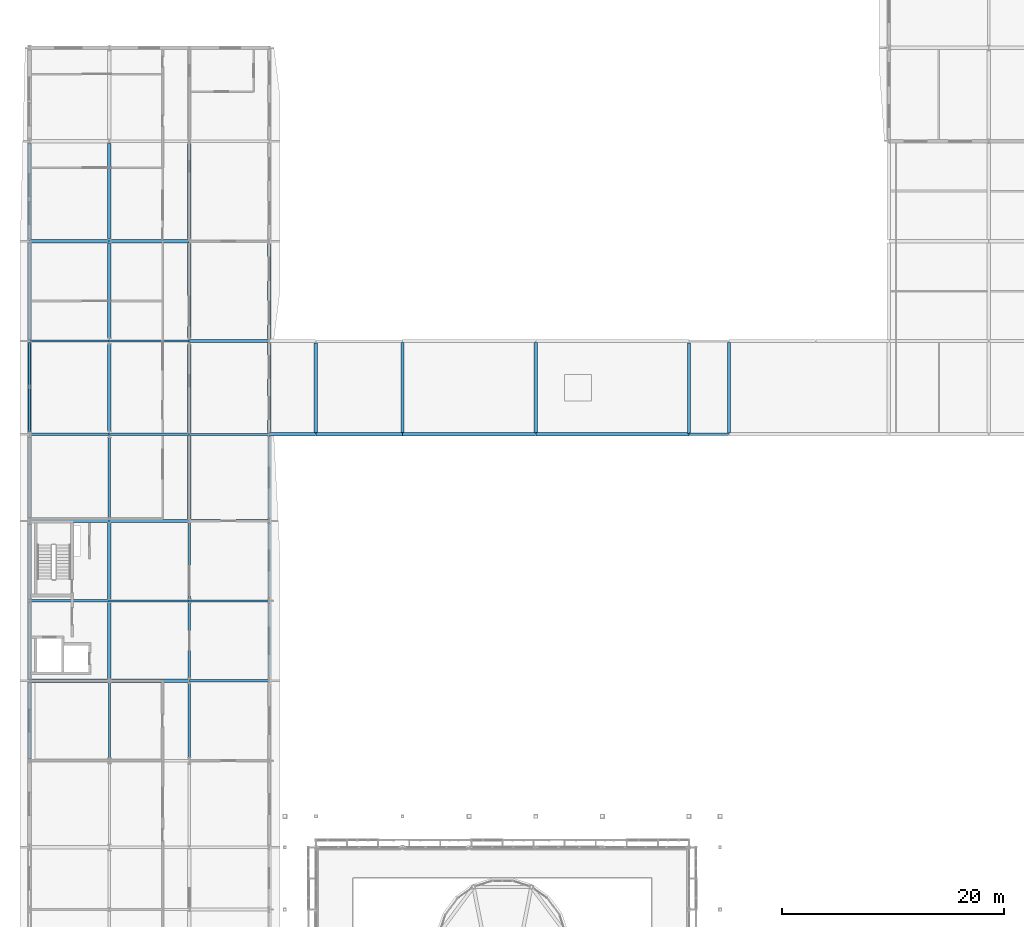
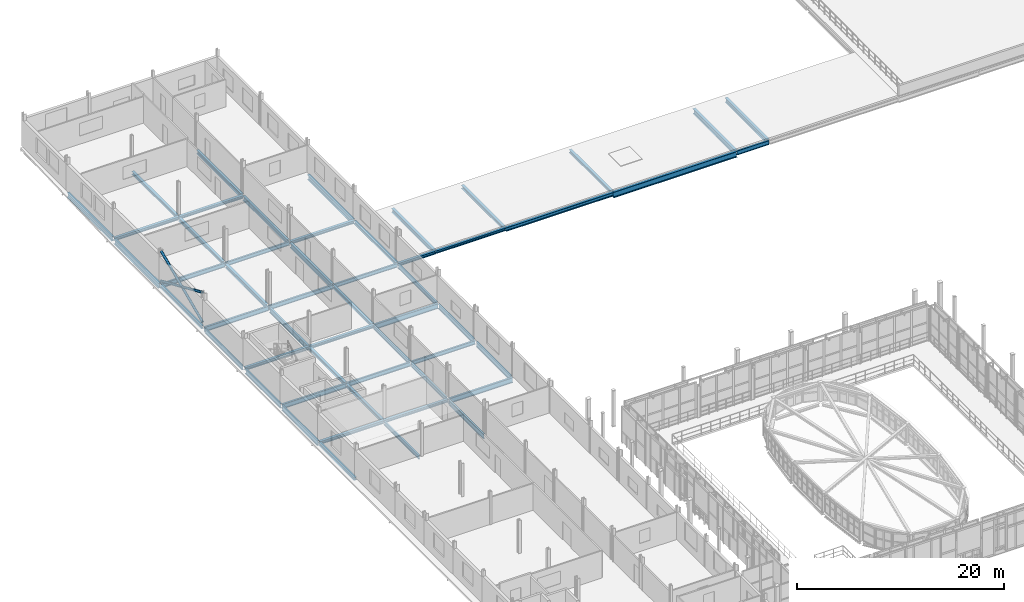
# One storey, part 41 of 78: 53 beams, 3 members.
"""IFC4 building model written with IfcOpenShell, lengths in metres."""

from ifc_helpers import new_model, si_unit, direction, frame, origin, origin_2d, place, context, subcontext, project, spatial, hollow_circle, i_section, extrude, material, material_profile, profile_set, type_object, element, save


model = new_model("IFC4")

# Units and contexts
model_context = context("Model", 3, precision=1e-05, world=origin(), true_north=direction((0.0, 1.0)))
body_context = subcontext(model_context, "Body", "Model", "MODEL_VIEW")
ifc_project = project(units=[si_unit("LENGTHUNIT", "METRE"), si_unit("AREAUNIT", "SQUARE_METRE"), si_unit("VOLUMEUNIT", "CUBIC_METRE"), si_unit("PLANEANGLEUNIT", "RADIAN"), si_unit("MASSUNIT", "GRAM", prefix="KILO")], contexts=[model_context])

# Site, building, storey
site_placement = place(None, origin())
site = spatial("IfcSite", under=ifc_project, at=site_placement, CompositionType="ELEMENT")
building_placement = place(site_placement, origin())
building = spatial("IfcBuilding", under=site, at=building_placement, Name="Vinh Khe Railworks Police Headquarters", CompositionType="ELEMENT")
storey_placement = place(building_placement, frame((0.0, 0.0, 13.199951171875)))
storey = spatial("IfcBuildingStorey", under=building, at=storey_placement, Name="L03", CompositionType="ELEMENT", Elevation=13.199951171875)

# Members
ifc_material = material(Name="Steel S355JR", Category="steel")
ifc_material_profile_1 = material_profile(ifc_material, hollow_circle(Radius=0.136474609375, WallThickness=0.012451171875, at=origin_2d()), Name="CHS 273x12.5")
ifc_profile_set_1 = profile_set([ifc_material_profile_1], Name="Steel S355JR")
member_type = type_object("IfcMemberType", Name="Concentric Brace CHS 273x12.5", PredefinedType="BRACE", material=ifc_profile_set_1)
member_placement = place(storey_placement, frame((0.60009765625, 96.2548828125, 0.199951171875), z_axis=(0.0, 0.91606743066, 0.401024266702), x_axis=(-1.0, 0.0, 0.0)))
element("IfcMember", 1, at=member_placement, inside=storey, type_object=member_type, Name="Continuous Concentric Brace MEM-BR-L03-BR-08-034", PredefinedType="BRACE", context=body_context, shape_type="SweptSolid", body=[
    extrude(hollow_circle(Radius=0.136474609375, WallThickness=0.012451171875, at=origin_2d()), origin(), (0.0, 0.0, 1.0), 8.7275390625),
])
for number, where, z_axis, x_axis, name in (
    (2, (0.60009765625, 96.2548828125, 3.699951171875), (0.0, 0.916060421789, -0.40104027682), (-1.0, 0.0, 0.0), "Split X-Brace Segment MEM-BR-L03-BR-08-035 (2A)"),
    (3, (0.60009765625, 100.382568359375, 1.89306640625), (0.0, 0.916060421789, -0.40104027682), (-1.0, 0.0, 0.0), "Split X-Brace Segment MEM-BR-L03-BR-08-036 (2B)"),
):
    element("IfcMember", number, at=place(storey_placement, frame(where, z_axis=z_axis, x_axis=x_axis)), inside=storey, type_object=member_type, Name=name, PredefinedType="BRACE", context=body_context, shape_type="SweptSolid", body=[
        extrude(hollow_circle(Radius=0.136474609375, WallThickness=0.012451171875, at=origin_2d()), origin(), (0.0, 0.0, 1.0), 4.221923828125),
    ])

# Beams
ifc_material_profile_2 = material_profile(ifc_material, i_section(OverallWidth=0.300048828125, OverallDepth=0.330078125, WebThickness=0.009521484375, FlangeThickness=0.0166015625, FilletRadius=0.027099609375, at=origin_2d()), Name="HEA 340")
ifc_profile_set_2 = profile_set([ifc_material_profile_2], Name="Steel S355JR")
beam_type_1 = type_object("IfcBeamType", Name="Steel Girder HEA 340", PredefinedType="BEAM", material=ifc_profile_set_2)
for number, where, z_axis, x_axis, name in (
    (4, (7.820068359375, 73.800048828125, -0.385009765625), (1.0, 0.0, 0.0), (0.0, 1.0, 0.0), "Girder BM-L03-EW-SB-16-1070"),
    (5, (7.820068359375, 88.199951171875, -0.385009765625), (1.0, 0.0, 0.0), (0.0, 1.0, 0.0), "Girder BM-L03-EW-SB-16-1076"),
):
    element("IfcBeam", number, at=place(storey_placement, frame(where, z_axis=z_axis, x_axis=x_axis)), inside=storey, type_object=beam_type_1, Name=name, PredefinedType="BEAM", context=body_context, shape_type="SweptSolid", body=[
        extrude(i_section(OverallWidth=0.300048828125, OverallDepth=0.330078125, WebThickness=0.009521484375, FlangeThickness=0.0166015625, FilletRadius=0.027099609375, at=origin_2d()), origin(), (0.0, 0.0, 1.0), 7.159912109375),
    ])
beam_1_placement = place(storey_placement, frame((26.419921875, 96.0, -0.385009765625), z_axis=(1.0, 0.0, 0.0), x_axis=(0.0, 1.0, 0.0)))
element("IfcBeam", 6, at=beam_1_placement, inside=storey, type_object=beam_type_1, Name="Girder BM-L03-EW-SB-16-1082", PredefinedType="BEAM", context=body_context, shape_type="SweptSolid", body=[
    extrude(i_section(OverallWidth=0.300048828125, OverallDepth=0.330078125, WebThickness=0.009521484375, FlangeThickness=0.0166015625, FilletRadius=0.027099609375, at=origin_2d()), origin(), (0.0, 0.0, 1.0), 7.760009765625),
])
beam_2_placement = place(storey_placement, frame((7.820068359375, 113.39990234375, -0.385009765625), z_axis=(1.0, 0.0, 0.0), x_axis=(0.0, 1.0, 0.0)))
element("IfcBeam", 7, at=beam_2_placement, inside=storey, type_object=beam_type_1, Name="Girder BM-L03-EW-SB-16-1106", PredefinedType="BEAM", context=body_context, shape_type="SweptSolid", body=[
    extrude(i_section(OverallWidth=0.300048828125, OverallDepth=0.330078125, WebThickness=0.009521484375, FlangeThickness=0.0166015625, FilletRadius=0.027099609375, at=origin_2d()), origin(), (0.0, 0.0, 1.0), 7.159912109375),
])
beam_3_placement = place(storey_placement, frame((0.60009765625, 66.75, -0.385009765625), z_axis=(0.0, 1.0, 0.0), x_axis=(-1.0, 0.0, 0.0)))
element("IfcBeam", 8, at=beam_3_placement, inside=storey, type_object=beam_type_1, Name="Girder BM-L03-NS-SB-16-1154", PredefinedType="BEAM", context=body_context, shape_type="SweptSolid", body=[
    extrude(i_section(OverallWidth=0.300048828125, OverallDepth=0.330078125, WebThickness=0.009521484375, FlangeThickness=0.0166015625, FilletRadius=0.027099609375, at=origin_2d()), origin(), (0.0, 0.0, 1.0), 6.9150390625),
])
beam_4_placement = place(storey_placement, frame((7.800048828125, 81.135009765625, -0.385009765625), z_axis=(0.0, 1.0, 0.0), x_axis=(-1.0, 0.0, 0.0)))
element("IfcBeam", 9, at=beam_4_placement, inside=storey, type_object=beam_type_1, Name="Girder BM-L03-NS-SB-16-1172", PredefinedType="BEAM", context=body_context, shape_type="SweptSolid", body=[
    extrude(i_section(OverallWidth=0.300048828125, OverallDepth=0.330078125, WebThickness=0.009521484375, FlangeThickness=0.0166015625, FilletRadius=0.027099609375, at=origin_2d()), origin(), (0.0, 0.0, 1.0), 6.93994140625),
])
ifc_material_profile_3 = material_profile(ifc_material, i_section(OverallWidth=0.300048828125, OverallDepth=0.35009765625, WebThickness=0.010009765625, FlangeThickness=0.017578125, FilletRadius=0.027099609375, at=origin_2d()), Name="HEA 360")
ifc_profile_set_3 = profile_set([ifc_material_profile_3], Name="Steel S355JR")
beam_type_2 = type_object("IfcBeamType", Name="Steel Girder HEA 360", PredefinedType="BEAM", material=ifc_profile_set_3)
for number, where, z_axis, x_axis, name in (
    (10, (0.6201171875, 73.800048828125, -0.39501953125), (1.0, 0.0, 0.0), (0.0, 1.0, 0.0), "Girder BM-L03-EW-SB-15-1069"),
    (11, (0.6201171875, 88.199951171875, -0.39501953125), (1.0, 0.0, 0.0), (0.0, 1.0, 0.0), "Girder BM-L03-EW-SB-15-1075"),
):
    element("IfcBeam", number, at=place(storey_placement, frame(where, z_axis=z_axis, x_axis=x_axis)), inside=storey, type_object=beam_type_2, Name=name, PredefinedType="BEAM", context=body_context, shape_type="SweptSolid", body=[
        extrude(i_section(OverallWidth=0.300048828125, OverallDepth=0.35009765625, WebThickness=0.010009765625, FlangeThickness=0.017578125, FilletRadius=0.027099609375, at=origin_2d()), origin(), (0.0, 0.0, 1.0), 7.159912109375),
    ])
beam_5_placement = place(storey_placement, frame((22.219970703125, 96.0, -0.39501953125), z_axis=(1.0, 0.0, 0.0), x_axis=(0.0, 1.0, 0.0)))
element("IfcBeam", 12, at=beam_5_placement, inside=storey, type_object=beam_type_2, Name="Girder BM-L03-EW-SB-15-1081", PredefinedType="BEAM", context=body_context, shape_type="SweptSolid", body=[
    extrude(i_section(OverallWidth=0.300048828125, OverallDepth=0.35009765625, WebThickness=0.010009765625, FlangeThickness=0.017578125, FilletRadius=0.027099609375, at=origin_2d()), origin(), (0.0, 0.0, 1.0), 4.159912109375),
])
for number, where, z_axis, x_axis, name in (
    (13, (15.02001953125, 104.39990234375, -0.39501953125), (1.0, 0.0, 0.0), (0.0, 1.0, 0.0), "Girder BM-L03-EW-SB-15-1093"),
    (14, (0.6201171875, 113.39990234375, -0.39501953125), (1.0, 0.0, 0.0), (0.0, 1.0, 0.0), "Girder BM-L03-EW-SB-15-1105"),
):
    element("IfcBeam", number, at=place(storey_placement, frame(where, z_axis=z_axis, x_axis=x_axis)), inside=storey, type_object=beam_type_2, Name=name, PredefinedType="BEAM", context=body_context, shape_type="SweptSolid", body=[
        extrude(i_section(OverallWidth=0.300048828125, OverallDepth=0.35009765625, WebThickness=0.010009765625, FlangeThickness=0.017578125, FilletRadius=0.027099609375, at=origin_2d()), origin(), (0.0, 0.0, 1.0), 7.159912109375),
    ])
beam_6_placement = place(storey_placement, frame((0.60009765625, 96.2548828125, -0.39501953125), z_axis=(0.0, 1.0, 0.0), x_axis=(-1.0, 0.0, 0.0)))
element("IfcBeam", 15, at=beam_6_placement, inside=storey, type_object=beam_type_2, Name="Girder BM-L03-NS-SB-15-1158", PredefinedType="BEAM", context=body_context, shape_type="SweptSolid", body=[
    extrude(i_section(OverallWidth=0.300048828125, OverallDepth=0.35009765625, WebThickness=0.010009765625, FlangeThickness=0.017578125, FilletRadius=0.027099609375, at=origin_2d()), origin(), (0.0, 0.0, 1.0), 7.9951171875),
])
beam_7_placement = place(storey_placement, frame((7.800048828125, 73.949951171875, -0.39501953125), z_axis=(0.0, 1.0, 0.0), x_axis=(-1.0, 0.0, 0.0)))
element("IfcBeam", 16, at=beam_7_placement, inside=storey, type_object=beam_type_2, Name="Girder BM-L03-NS-SB-15-1171", PredefinedType="BEAM", context=body_context, shape_type="SweptSolid", body=[
    extrude(i_section(OverallWidth=0.300048828125, OverallDepth=0.35009765625, WebThickness=0.010009765625, FlangeThickness=0.017578125, FilletRadius=0.027099609375, at=origin_2d()), origin(), (0.0, 0.0, 1.0), 6.9150390625),
])
beam_8_placement = place(storey_placement, frame((7.800048828125, 113.6298828125, -0.39501953125), z_axis=(0.0, 1.0, 0.0), x_axis=(-1.0, 0.0, 0.0)))
element("IfcBeam", 17, at=beam_8_placement, inside=storey, type_object=beam_type_2, Name="Girder BM-L03-NS-SB-15-1176", PredefinedType="BEAM", context=body_context, shape_type="SweptSolid", body=[
    extrude(i_section(OverallWidth=0.300048828125, OverallDepth=0.35009765625, WebThickness=0.010009765625, FlangeThickness=0.017578125, FilletRadius=0.027099609375, at=origin_2d()), origin(), (0.0, 0.0, 1.0), 8.565185546875),
])
beam_9_placement = place(storey_placement, frame((15.0, 88.3349609375, -0.39501953125), z_axis=(0.0, 1.0, 0.0), x_axis=(-1.0, 0.0, 0.0)))
element("IfcBeam", 18, at=beam_9_placement, inside=storey, type_object=beam_type_2, Name="Girder BM-L03-NS-SB-15-1189", PredefinedType="BEAM", context=body_context, shape_type="SweptSolid", body=[
    extrude(i_section(OverallWidth=0.300048828125, OverallDepth=0.35009765625, WebThickness=0.010009765625, FlangeThickness=0.017578125, FilletRadius=0.027099609375, at=origin_2d()), origin(), (0.0, 0.0, 1.0), 7.5400390625),
])
beam_10_placement = place(storey_placement, frame((22.199951171875, 96.135009765625, -0.39501953125), z_axis=(0.0, 1.0, 0.0), x_axis=(-1.0, 0.0, 0.0)))
element("IfcBeam", 19, at=beam_10_placement, inside=storey, type_object=beam_type_2, Name="Girder BM-L03-NS-SB-15-1206", PredefinedType="BEAM", context=body_context, shape_type="SweptSolid", body=[
    extrude(i_section(OverallWidth=0.300048828125, OverallDepth=0.35009765625, WebThickness=0.010009765625, FlangeThickness=0.017578125, FilletRadius=0.027099609375, at=origin_2d()), origin(), (0.0, 0.0, 1.0), 8.139892578125),
])
beam_11_placement = place(storey_placement, frame((46.199951171875, 96.155029296875, -0.39501953125), z_axis=(0.0, 1.0, 0.0), x_axis=(-1.0, 0.0, 0.0)))
element("IfcBeam", 20, at=beam_11_placement, inside=storey, type_object=beam_type_2, Name="Girder BM-L03-NS-SB-15-1218", PredefinedType="BEAM", context=body_context, shape_type="SweptSolid", body=[
    extrude(i_section(OverallWidth=0.300048828125, OverallDepth=0.35009765625, WebThickness=0.010009765625, FlangeThickness=0.017578125, FilletRadius=0.027099609375, at=origin_2d()), origin(), (0.0, 0.0, 1.0), 8.099853515625),
])
ifc_material_profile_4 = material_profile(ifc_material, i_section(OverallWidth=0.300048828125, OverallDepth=0.389892578125, WebThickness=0.010986328125, FlangeThickness=0.01904296875, FilletRadius=0.027099609375, at=origin_2d()), Name="HEA 400")
ifc_profile_set_4 = profile_set([ifc_material_profile_4], Name="Steel S355JR")
beam_type_3 = type_object("IfcBeamType", Name="Steel Girder HEA 400", PredefinedType="BEAM", material=ifc_profile_set_4)
beam_12_placement = place(storey_placement, frame((7.800048828125, 104.655029296875, -0.4150390625), z_axis=(0.0, 1.0, 0.0), x_axis=(-1.0, 0.0, 0.0)))
element("IfcBeam", 21, at=beam_12_placement, inside=storey, type_object=beam_type_3, Name="Girder BM-L03-NS-SB-14-1175", PredefinedType="BEAM", context=body_context, shape_type="SweptSolid", body=[
    extrude(i_section(OverallWidth=0.300048828125, OverallDepth=0.389892578125, WebThickness=0.010986328125, FlangeThickness=0.01904296875, FilletRadius=0.027099609375, at=origin_2d()), origin(), (0.0, 0.0, 1.0), 8.514892578125),
])
beam_13_placement = place(storey_placement, frame((34.199951171875, 96.14501953125, -0.4150390625), z_axis=(0.0, 1.0, 0.0), x_axis=(-1.0, 0.0, 0.0)))
element("IfcBeam", 22, at=beam_13_placement, inside=storey, type_object=beam_type_3, Name="Girder BM-L03-NS-SB-14-1217", PredefinedType="BEAM", context=body_context, shape_type="SweptSolid", body=[
    extrude(i_section(OverallWidth=0.300048828125, OverallDepth=0.389892578125, WebThickness=0.010986328125, FlangeThickness=0.01904296875, FilletRadius=0.027099609375, at=origin_2d()), origin(), (0.0, 0.0, 1.0), 8.1298828125),
])
ifc_material_profile_5 = material_profile(ifc_material, i_section(OverallWidth=0.300048828125, OverallDepth=0.43994140625, WebThickness=0.011474609375, FlangeThickness=0.02099609375, FilletRadius=0.027099609375, at=origin_2d()), Name="HEA 450")
ifc_profile_set_5 = profile_set([ifc_material_profile_5], Name="Steel S355JR")
beam_type_4 = type_object("IfcBeamType", Name="Steel Girder HEA 450", PredefinedType="BEAM", material=ifc_profile_set_5)
beam_14_placement = place(storey_placement, frame((7.800048828125, 96.280029296875, -0.43994140625), z_axis=(0.0, 1.0, 0.0), x_axis=(-1.0, 0.0, 0.0)))
element("IfcBeam", 23, at=beam_14_placement, inside=storey, type_object=beam_type_4, Name="Girder BM-L03-NS-SB-13-1174", PredefinedType="BEAM", context=body_context, shape_type="SweptSolid", body=[
    extrude(i_section(OverallWidth=0.300048828125, OverallDepth=0.43994140625, WebThickness=0.011474609375, FlangeThickness=0.02099609375, FilletRadius=0.027099609375, at=origin_2d()), origin(), (0.0, 0.0, 1.0), 7.864990234375),
])
beam_15_placement = place(storey_placement, frame((15.0, 113.550048828125, -0.43994140625), z_axis=(0.0, 1.0, 0.0), x_axis=(-1.0, 0.0, 0.0)))
element("IfcBeam", 24, at=beam_15_placement, inside=storey, type_object=beam_type_4, Name="Girder BM-L03-NS-SB-13-1192", PredefinedType="BEAM", context=body_context, shape_type="SweptSolid", body=[
    extrude(i_section(OverallWidth=0.300048828125, OverallDepth=0.43994140625, WebThickness=0.011474609375, FlangeThickness=0.02099609375, FilletRadius=0.027099609375, at=origin_2d()), origin(), (0.0, 0.0, 1.0), 8.619873046875),
])
beam_16_placement = place(storey_placement, frame((26.39990234375, 96.094970703125, -0.43994140625), z_axis=(0.0, 1.0, 0.0), x_axis=(-1.0, 0.0, 0.0)))
element("IfcBeam", 25, at=beam_16_placement, inside=storey, type_object=beam_type_4, Name="Girder BM-L03-NS-SB-13-1216", PredefinedType="BEAM", context=body_context, shape_type="SweptSolid", body=[
    extrude(i_section(OverallWidth=0.300048828125, OverallDepth=0.43994140625, WebThickness=0.011474609375, FlangeThickness=0.02099609375, FilletRadius=0.027099609375, at=origin_2d()), origin(), (0.0, 0.0, 1.0), 8.150146484375),
])
ifc_material_profile_6 = material_profile(ifc_material, i_section(OverallWidth=0.300048828125, OverallDepth=0.489990234375, WebThickness=0.011962890625, FlangeThickness=0.02294921875, FilletRadius=0.027099609375, at=origin_2d()), Name="HEA 500")
ifc_profile_set_6 = profile_set([ifc_material_profile_6], Name="Steel S355JR")
beam_type_5 = type_object("IfcBeamType", Name="Steel Girder HEA 500", PredefinedType="BEAM", material=ifc_profile_set_6)
beam_17_placement = place(storey_placement, frame((15.0, 104.679931640625, -0.46484375), z_axis=(0.0, 1.0, 0.0), x_axis=(-1.0, 0.0, 0.0)))
element("IfcBeam", 26, at=beam_17_placement, inside=storey, type_object=beam_type_5, Name="Girder BM-L03-NS-SB-12-1191", PredefinedType="BEAM", context=body_context, shape_type="SweptSolid", body=[
    extrude(i_section(OverallWidth=0.300048828125, OverallDepth=0.489990234375, WebThickness=0.011962890625, FlangeThickness=0.02294921875, FilletRadius=0.027099609375, at=origin_2d()), origin(), (0.0, 0.0, 1.0), 8.570068359375),
])
ifc_material_profile_7 = material_profile(ifc_material, i_section(OverallWidth=0.300048828125, OverallDepth=0.5400390625, WebThickness=0.012451171875, FlangeThickness=0.02392578125, FilletRadius=0.027099609375, at=origin_2d()), Name="HEA 550")
ifc_profile_set_7 = profile_set([ifc_material_profile_7], Name="Steel S355JR")
beam_type_6 = type_object("IfcBeamType", Name="Steel Girder HEA 550", PredefinedType="BEAM", material=ifc_profile_set_7)
beam_18_placement = place(storey_placement, frame((0.60009765625, 113.60498046875, -0.489990234375), z_axis=(0.0, 1.0, 0.0), x_axis=(-1.0, 0.0, 0.0)))
element("IfcBeam", 27, at=beam_18_placement, inside=storey, type_object=beam_type_6, Name="Girder BM-L03-NS-SB-11-1160", PredefinedType="BEAM", context=body_context, shape_type="SweptSolid", body=[
    extrude(i_section(OverallWidth=0.300048828125, OverallDepth=0.5400390625, WebThickness=0.012451171875, FlangeThickness=0.02392578125, FilletRadius=0.027099609375, at=origin_2d()), origin(), (0.0, 0.0, 1.0), 8.614990234375),
])
beam_19_placement = place(storey_placement, frame((15.0, 96.125, -0.489990234375), z_axis=(0.0, 1.0, 0.0), x_axis=(-1.0, 0.0, 0.0)))
element("IfcBeam", 28, at=beam_19_placement, inside=storey, type_object=beam_type_6, Name="Girder BM-L03-NS-SB-11-1190", PredefinedType="BEAM", context=body_context, shape_type="SweptSolid", body=[
    extrude(i_section(OverallWidth=0.300048828125, OverallDepth=0.5400390625, WebThickness=0.012451171875, FlangeThickness=0.02392578125, FilletRadius=0.027099609375, at=origin_2d()), origin(), (0.0, 0.0, 1.0), 7.9951171875),
])
beam_20_placement = place(storey_placement, frame((63.60009765625, 96.125, -0.489990234375), z_axis=(0.0, 1.0, 0.0), x_axis=(-1.0, 0.0, 0.0)))
element("IfcBeam", 29, at=beam_20_placement, inside=storey, type_object=beam_type_6, Name="Girder BM-L03-NS-SB-11-1226", PredefinedType="BEAM", context=body_context, shape_type="SweptSolid", body=[
    extrude(i_section(OverallWidth=0.300048828125, OverallDepth=0.5400390625, WebThickness=0.012451171875, FlangeThickness=0.02392578125, FilletRadius=0.027099609375, at=origin_2d()), origin(), (0.0, 0.0, 1.0), 8.159912109375),
])
ifc_material_profile_8 = material_profile(ifc_material, i_section(OverallWidth=0.300048828125, OverallDepth=0.590087890625, WebThickness=0.012939453125, FlangeThickness=0.02490234375, FilletRadius=0.027099609375, at=origin_2d()), Name="HEA 600")
ifc_profile_set_8 = profile_set([ifc_material_profile_8], Name="Steel S355JR")
beam_type_7 = type_object("IfcBeamType", Name="Steel Girder HEA 600", PredefinedType="BEAM", material=ifc_profile_set_8)
beam_21_placement = place(storey_placement, frame((0.60009765625, 104.550048828125, -0.514892578125), z_axis=(0.0, 1.0, 0.0), x_axis=(-1.0, 0.0, 0.0)))
element("IfcBeam", 30, at=beam_21_placement, inside=storey, type_object=beam_type_7, Name="Girder BM-L03-NS-SB-10-1159", PredefinedType="BEAM", context=body_context, shape_type="SweptSolid", body=[
    extrude(i_section(OverallWidth=0.300048828125, OverallDepth=0.590087890625, WebThickness=0.012939453125, FlangeThickness=0.02490234375, FilletRadius=0.027099609375, at=origin_2d()), origin(), (0.0, 0.0, 1.0), 8.64501953125),
])
beam_22_placement = place(storey_placement, frame((22.199951171875, 104.52490234375, -0.514892578125), z_axis=(0.0, 1.0, 0.0), x_axis=(-1.0, 0.0, 0.0)))
element("IfcBeam", 31, at=beam_22_placement, inside=storey, type_object=beam_type_7, Name="Girder BM-L03-NS-SB-10-1207", PredefinedType="BEAM", context=body_context, shape_type="SweptSolid", body=[
    extrude(i_section(OverallWidth=0.300048828125, OverallDepth=0.590087890625, WebThickness=0.012939453125, FlangeThickness=0.02490234375, FilletRadius=0.027099609375, at=origin_2d()), origin(), (0.0, 0.0, 1.0), 8.715087890625),
])
beam_23_placement = place(storey_placement, frame((60.0, 96.094970703125, -0.514892578125), z_axis=(0.0, 1.0, 0.0), x_axis=(-1.0, 0.0, 0.0)))
element("IfcBeam", 32, at=beam_23_placement, inside=storey, type_object=beam_type_7, Name="Girder BM-L03-NS-SB-10-1225", PredefinedType="BEAM", context=body_context, shape_type="SweptSolid", body=[
    extrude(i_section(OverallWidth=0.300048828125, OverallDepth=0.590087890625, WebThickness=0.012939453125, FlangeThickness=0.02490234375, FilletRadius=0.027099609375, at=origin_2d()), origin(), (0.0, 0.0, 1.0), 8.150146484375),
])
ifc_material_profile_9 = material_profile(ifc_material, i_section(OverallWidth=0.300048828125, OverallDepth=0.68994140625, WebThickness=0.014404296875, FlangeThickness=0.027099609375, FilletRadius=0.027099609375, at=origin_2d()), Name="HEA 700")
ifc_profile_set_9 = profile_set([ifc_material_profile_9], Name="Steel S355JR")
beam_type_8 = type_object("IfcBeamType", Name="Steel Girder HEA 700", PredefinedType="BEAM", material=ifc_profile_set_9)
beam_24_placement = place(storey_placement, frame((46.219970703125, 96.0, -0.56494140625), z_axis=(1.0, 0.0, 0.0), x_axis=(0.0, 1.0, 0.0)))
element("IfcBeam", 33, at=beam_24_placement, inside=storey, type_object=beam_type_8, Name="Girder BM-L03-EW-SB-08-1084", PredefinedType="BEAM", context=body_context, shape_type="SweptSolid", body=[
    extrude(i_section(OverallWidth=0.300048828125, OverallDepth=0.68994140625, WebThickness=0.014404296875, FlangeThickness=0.027099609375, FilletRadius=0.027099609375, at=origin_2d()), origin(), (0.0, 0.0, 1.0), 13.760009765625),
])
ifc_material_profile_10 = material_profile(ifc_material, i_section(OverallWidth=0.300048828125, OverallDepth=0.449951171875, WebThickness=0.013916015625, FlangeThickness=0.02587890625, FilletRadius=0.027099609375, at=origin_2d()), Name="HEB 450")
ifc_profile_set_10 = profile_set([ifc_material_profile_10], Name="Steel S355JR")
beam_type_9 = type_object("IfcBeamType", Name="Steel Girder HEB 450", PredefinedType="BEAM", material=ifc_profile_set_10)
beam_25_placement = place(storey_placement, frame((34.219970703125, 96.0, -0.445068359375), z_axis=(1.0, 0.0, 0.0), x_axis=(0.0, 1.0, 0.0)))
element("IfcBeam", 34, at=beam_25_placement, inside=storey, type_object=beam_type_9, Name="Girder BM-L03-EW-SB-07-1083", PredefinedType="BEAM", context=body_context, shape_type="SweptSolid", body=[
    extrude(i_section(OverallWidth=0.300048828125, OverallDepth=0.449951171875, WebThickness=0.013916015625, FlangeThickness=0.02587890625, FilletRadius=0.027099609375, at=origin_2d()), origin(), (0.0, 0.0, 1.0), 11.9599609375),
])
ifc_material_profile_11 = material_profile(ifc_material, i_section(OverallWidth=0.18994140625, OverallDepth=0.449951171875, WebThickness=0.009521484375, FlangeThickness=0.0146484375, FilletRadius=0.02099609375, at=origin_2d()), Name="IPE 450")
ifc_profile_set_11 = profile_set([ifc_material_profile_11], Name="Steel S355JR")
beam_type_10 = type_object("IfcBeamType", Name="Steel Girder IPE 450", PredefinedType="BEAM", material=ifc_profile_set_11)
for number, where, z_axis, x_axis, name in (
    (35, (15.02001953125, 81.0, -0.445068359375), (1.0, 0.0, 0.0), (0.0, 1.0, 0.0), "Girder BM-L03-EW-SB-20-1074"),
    (36, (15.02001953125, 96.0, -0.445068359375), (1.0, 0.0, 0.0), (0.0, 1.0, 0.0), "Girder BM-L03-EW-SB-20-1080"),
    (37, (7.820068359375, 104.39990234375, -0.445068359375), (1.0, 0.0, 0.0), (0.0, 1.0, 0.0), "Girder BM-L03-EW-SB-20-1092"),
):
    element("IfcBeam", number, at=place(storey_placement, frame(where, z_axis=z_axis, x_axis=x_axis)), inside=storey, type_object=beam_type_10, Name=name, PredefinedType="BEAM", context=body_context, shape_type="SweptSolid", body=[
        extrude(i_section(OverallWidth=0.18994140625, OverallDepth=0.449951171875, WebThickness=0.009521484375, FlangeThickness=0.0146484375, FilletRadius=0.02099609375, at=origin_2d()), origin(), (0.0, 0.0, 1.0), 7.159912109375),
    ])
beam_26_placement = place(storey_placement, frame((7.800048828125, 66.85498046875, -0.445068359375), z_axis=(0.0, 1.0, 0.0), x_axis=(-1.0, 0.0, 0.0)))
element("IfcBeam", 38, at=beam_26_placement, inside=storey, type_object=beam_type_10, Name="Girder BM-L03-NS-SB-20-1170", PredefinedType="BEAM", context=body_context, shape_type="SweptSolid", body=[
    extrude(i_section(OverallWidth=0.18994140625, OverallDepth=0.449951171875, WebThickness=0.009521484375, FlangeThickness=0.0146484375, FilletRadius=0.02099609375, at=origin_2d()), origin(), (0.0, 0.0, 1.0), 6.794921875),
])
beam_27_placement = place(storey_placement, frame((15.0, 81.14990234375, -0.445068359375), z_axis=(0.0, 1.0, 0.0), x_axis=(-1.0, 0.0, 0.0)))
element("IfcBeam", 39, at=beam_27_placement, inside=storey, type_object=beam_type_10, Name="Girder BM-L03-NS-SB-20-1188", PredefinedType="BEAM", context=body_context, shape_type="SweptSolid", body=[
    extrude(i_section(OverallWidth=0.18994140625, OverallDepth=0.449951171875, WebThickness=0.009521484375, FlangeThickness=0.0146484375, FilletRadius=0.02099609375, at=origin_2d()), origin(), (0.0, 0.0, 1.0), 6.9150390625),
])
ifc_material_profile_12 = material_profile(ifc_material, i_section(OverallWidth=0.199951171875, OverallDepth=0.5, WebThickness=0.01025390625, FlangeThickness=0.01611328125, FilletRadius=0.02099609375, at=origin_2d()), Name="IPE 500")
ifc_profile_set_12 = profile_set([ifc_material_profile_12], Name="Steel S355JR")
beam_type_11 = type_object("IfcBeamType", Name="Steel Girder IPE 500", PredefinedType="BEAM", material=ifc_profile_set_12)
for number, where, z_axis, x_axis, name in (
    (40, (7.820068359375, 81.0, -0.469970703125), (1.0, 0.0, 0.0), (0.0, 1.0, 0.0), "Girder BM-L03-EW-SB-19-1073"),
    (41, (7.820068359375, 96.0, -0.469970703125), (1.0, 0.0, 0.0), (0.0, 1.0, 0.0), "Girder BM-L03-EW-SB-19-1079"),
):
    element("IfcBeam", number, at=place(storey_placement, frame(where, z_axis=z_axis, x_axis=x_axis)), inside=storey, type_object=beam_type_11, Name=name, PredefinedType="BEAM", context=body_context, shape_type="SweptSolid", body=[
        extrude(i_section(OverallWidth=0.199951171875, OverallDepth=0.5, WebThickness=0.01025390625, FlangeThickness=0.01611328125, FilletRadius=0.02099609375, at=origin_2d()), origin(), (0.0, 0.0, 1.0), 7.159912109375),
    ])
beam_28_placement = place(storey_placement, frame((60.02001953125, 96.0, -0.469970703125), z_axis=(1.0, 0.0, 0.0), x_axis=(0.0, 1.0, 0.0)))
element("IfcBeam", 42, at=beam_28_placement, inside=storey, type_object=beam_type_11, Name="Girder BM-L03-EW-SB-19-1085", PredefinedType="BEAM", context=body_context, shape_type="SweptSolid", body=[
    extrude(i_section(OverallWidth=0.199951171875, OverallDepth=0.5, WebThickness=0.01025390625, FlangeThickness=0.01611328125, FilletRadius=0.02099609375, at=origin_2d()), origin(), (0.0, 0.0, 1.0), 3.56005859375),
])
beam_29_placement = place(storey_placement, frame((0.6201171875, 104.39990234375, -0.469970703125), z_axis=(1.0, 0.0, 0.0), x_axis=(0.0, 1.0, 0.0)))
element("IfcBeam", 43, at=beam_29_placement, inside=storey, type_object=beam_type_11, Name="Girder BM-L03-EW-SB-19-1091", PredefinedType="BEAM", context=body_context, shape_type="SweptSolid", body=[
    extrude(i_section(OverallWidth=0.199951171875, OverallDepth=0.5, WebThickness=0.01025390625, FlangeThickness=0.01611328125, FilletRadius=0.02099609375, at=origin_2d()), origin(), (0.0, 0.0, 1.0), 7.159912109375),
])
beam_30_placement = place(storey_placement, frame((0.60009765625, 88.47998046875, -0.469970703125), z_axis=(0.0, 1.0, 0.0), x_axis=(-1.0, 0.0, 0.0)))
element("IfcBeam", 44, at=beam_30_placement, inside=storey, type_object=beam_type_11, Name="Girder BM-L03-NS-SB-19-1157", PredefinedType="BEAM", context=body_context, shape_type="SweptSolid", body=[
    extrude(i_section(OverallWidth=0.199951171875, OverallDepth=0.5, WebThickness=0.01025390625, FlangeThickness=0.01611328125, FilletRadius=0.02099609375, at=origin_2d()), origin(), (0.0, 0.0, 1.0), 7.26513671875),
])
beam_31_placement = place(storey_placement, frame((15.0, 74.054931640625, -0.469970703125), z_axis=(0.0, 1.0, 0.0), x_axis=(-1.0, 0.0, 0.0)))
element("IfcBeam", 45, at=beam_31_placement, inside=storey, type_object=beam_type_11, Name="Girder BM-L03-NS-SB-19-1187", PredefinedType="BEAM", context=body_context, shape_type="SweptSolid", body=[
    extrude(i_section(OverallWidth=0.199951171875, OverallDepth=0.5, WebThickness=0.01025390625, FlangeThickness=0.01611328125, FilletRadius=0.02099609375, at=origin_2d()), origin(), (0.0, 0.0, 1.0), 6.795166015625),
])
beam_32_placement = place(storey_placement, frame((22.199951171875, 88.35009765625, -0.469970703125), z_axis=(0.0, 1.0, 0.0), x_axis=(-1.0, 0.0, 0.0)))
element("IfcBeam", 46, at=beam_32_placement, inside=storey, type_object=beam_type_11, Name="Girder BM-L03-NS-SB-19-1205", PredefinedType="BEAM", context=body_context, shape_type="SweptSolid", body=[
    extrude(i_section(OverallWidth=0.199951171875, OverallDepth=0.5, WebThickness=0.01025390625, FlangeThickness=0.01611328125, FilletRadius=0.02099609375, at=origin_2d()), origin(), (0.0, 0.0, 1.0), 7.514892578125),
])
ifc_material_profile_13 = material_profile(ifc_material, i_section(OverallWidth=0.2099609375, OverallDepth=0.550048828125, WebThickness=0.010986328125, FlangeThickness=0.01708984375, FilletRadius=0.02392578125, at=origin_2d()), Name="IPE 550")
ifc_profile_set_13 = profile_set([ifc_material_profile_13], Name="Steel S355JR")
beam_type_12 = type_object("IfcBeamType", Name="Steel Girder IPE 550", PredefinedType="BEAM", material=ifc_profile_set_13)
for number, where, z_axis, x_axis, name in (
    (47, (0.6201171875, 81.0, -0.494873046875), (1.0, 0.0, 0.0), (0.0, 1.0, 0.0), "Girder BM-L03-EW-SB-18-1072"),
    (48, (0.6201171875, 96.0, -0.494873046875), (1.0, 0.0, 0.0), (0.0, 1.0, 0.0), "Girder BM-L03-EW-SB-18-1078"),
):
    element("IfcBeam", number, at=place(storey_placement, frame(where, z_axis=z_axis, x_axis=x_axis)), inside=storey, type_object=beam_type_12, Name=name, PredefinedType="BEAM", context=body_context, shape_type="SweptSolid", body=[
        extrude(i_section(OverallWidth=0.2099609375, OverallDepth=0.550048828125, WebThickness=0.010986328125, FlangeThickness=0.01708984375, FilletRadius=0.02392578125, at=origin_2d()), origin(), (0.0, 0.0, 1.0), 7.159912109375),
    ])
beam_33_placement = place(storey_placement, frame((0.60009765625, 81.125, -0.494873046875), z_axis=(0.0, 1.0, 0.0), x_axis=(-1.0, 0.0, 0.0)))
element("IfcBeam", 49, at=beam_33_placement, inside=storey, type_object=beam_type_12, Name="Girder BM-L03-NS-SB-18-1156", PredefinedType="BEAM", context=body_context, shape_type="SweptSolid", body=[
    extrude(i_section(OverallWidth=0.2099609375, OverallDepth=0.550048828125, WebThickness=0.010986328125, FlangeThickness=0.01708984375, FilletRadius=0.02392578125, at=origin_2d()), origin(), (0.0, 0.0, 1.0), 6.794921875),
])
beam_34_placement = place(storey_placement, frame((15.0, 66.8798828125, -0.494873046875), z_axis=(0.0, 1.0, 0.0), x_axis=(-1.0, 0.0, 0.0)))
element("IfcBeam", 50, at=beam_34_placement, inside=storey, type_object=beam_type_12, Name="Girder BM-L03-NS-SB-18-1186", PredefinedType="BEAM", context=body_context, shape_type="SweptSolid", body=[
    extrude(i_section(OverallWidth=0.2099609375, OverallDepth=0.550048828125, WebThickness=0.010986328125, FlangeThickness=0.01708984375, FilletRadius=0.02392578125, at=origin_2d()), origin(), (0.0, 0.0, 1.0), 6.6650390625),
])
beam_35_placement = place(storey_placement, frame((22.199951171875, 81.2548828125, -0.494873046875), z_axis=(0.0, 1.0, 0.0), x_axis=(-1.0, 0.0, 0.0)))
element("IfcBeam", 51, at=beam_35_placement, inside=storey, type_object=beam_type_12, Name="Girder BM-L03-NS-SB-18-1204", PredefinedType="BEAM", context=body_context, shape_type="SweptSolid", body=[
    extrude(i_section(OverallWidth=0.2099609375, OverallDepth=0.550048828125, WebThickness=0.010986328125, FlangeThickness=0.01708984375, FilletRadius=0.02392578125, at=origin_2d()), origin(), (0.0, 0.0, 1.0), 6.795166015625),
])
ifc_material_profile_14 = material_profile(ifc_material, i_section(OverallWidth=0.219970703125, OverallDepth=0.60009765625, WebThickness=0.011962890625, FlangeThickness=0.01904296875, FilletRadius=0.02392578125, at=origin_2d()), Name="IPE 600")
ifc_profile_set_14 = profile_set([ifc_material_profile_14], Name="Steel S355JR")
beam_type_13 = type_object("IfcBeamType", Name="Steel Girder IPE 600", PredefinedType="BEAM", material=ifc_profile_set_14)
for number, where, z_axis, x_axis, name in (
    (52, (15.02001953125, 73.800048828125, -0.52001953125), (1.0, 0.0, 0.0), (0.0, 1.0, 0.0), "Girder BM-L03-EW-SB-17-1071"),
    (53, (15.02001953125, 88.199951171875, -0.52001953125), (1.0, 0.0, 0.0), (0.0, 1.0, 0.0), "Girder BM-L03-EW-SB-17-1077"),
):
    element("IfcBeam", number, at=place(storey_placement, frame(where, z_axis=z_axis, x_axis=x_axis)), inside=storey, type_object=beam_type_13, Name=name, PredefinedType="BEAM", context=body_context, shape_type="SweptSolid", body=[
        extrude(i_section(OverallWidth=0.219970703125, OverallDepth=0.60009765625, WebThickness=0.011962890625, FlangeThickness=0.01904296875, FilletRadius=0.02392578125, at=origin_2d()), origin(), (0.0, 0.0, 1.0), 7.159912109375),
    ])
beam_36_placement = place(storey_placement, frame((0.60009765625, 73.93505859375, -0.52001953125), z_axis=(0.0, 1.0, 0.0), x_axis=(-1.0, 0.0, 0.0)))
element("IfcBeam", 54, at=beam_36_placement, inside=storey, type_object=beam_type_13, Name="Girder BM-L03-NS-SB-17-1155", PredefinedType="BEAM", context=body_context, shape_type="SweptSolid", body=[
    extrude(i_section(OverallWidth=0.219970703125, OverallDepth=0.60009765625, WebThickness=0.011962890625, FlangeThickness=0.01904296875, FilletRadius=0.02392578125, at=origin_2d()), origin(), (0.0, 0.0, 1.0), 6.93994140625),
])
beam_37_placement = place(storey_placement, frame((7.800048828125, 88.324951171875, -0.52001953125), z_axis=(0.0, 1.0, 0.0), x_axis=(-1.0, 0.0, 0.0)))
element("IfcBeam", 55, at=beam_37_placement, inside=storey, type_object=beam_type_13, Name="Girder BM-L03-NS-SB-17-1173", PredefinedType="BEAM", context=body_context, shape_type="SweptSolid", body=[
    extrude(i_section(OverallWidth=0.219970703125, OverallDepth=0.60009765625, WebThickness=0.011962890625, FlangeThickness=0.01904296875, FilletRadius=0.02392578125, at=origin_2d()), origin(), (0.0, 0.0, 1.0), 7.39501953125),
])
beam_38_placement = place(storey_placement, frame((22.199951171875, 74.080078125, -0.52001953125), z_axis=(0.0, 1.0, 0.0), x_axis=(-1.0, 0.0, 0.0)))
element("IfcBeam", 56, at=beam_38_placement, inside=storey, type_object=beam_type_13, Name="Girder BM-L03-NS-SB-17-1203", PredefinedType="BEAM", context=body_context, shape_type="SweptSolid", body=[
    extrude(i_section(OverallWidth=0.219970703125, OverallDepth=0.60009765625, WebThickness=0.011962890625, FlangeThickness=0.01904296875, FilletRadius=0.02392578125, at=origin_2d()), origin(), (0.0, 0.0, 1.0), 6.6650390625),
])

save(model, "model.ifc")
